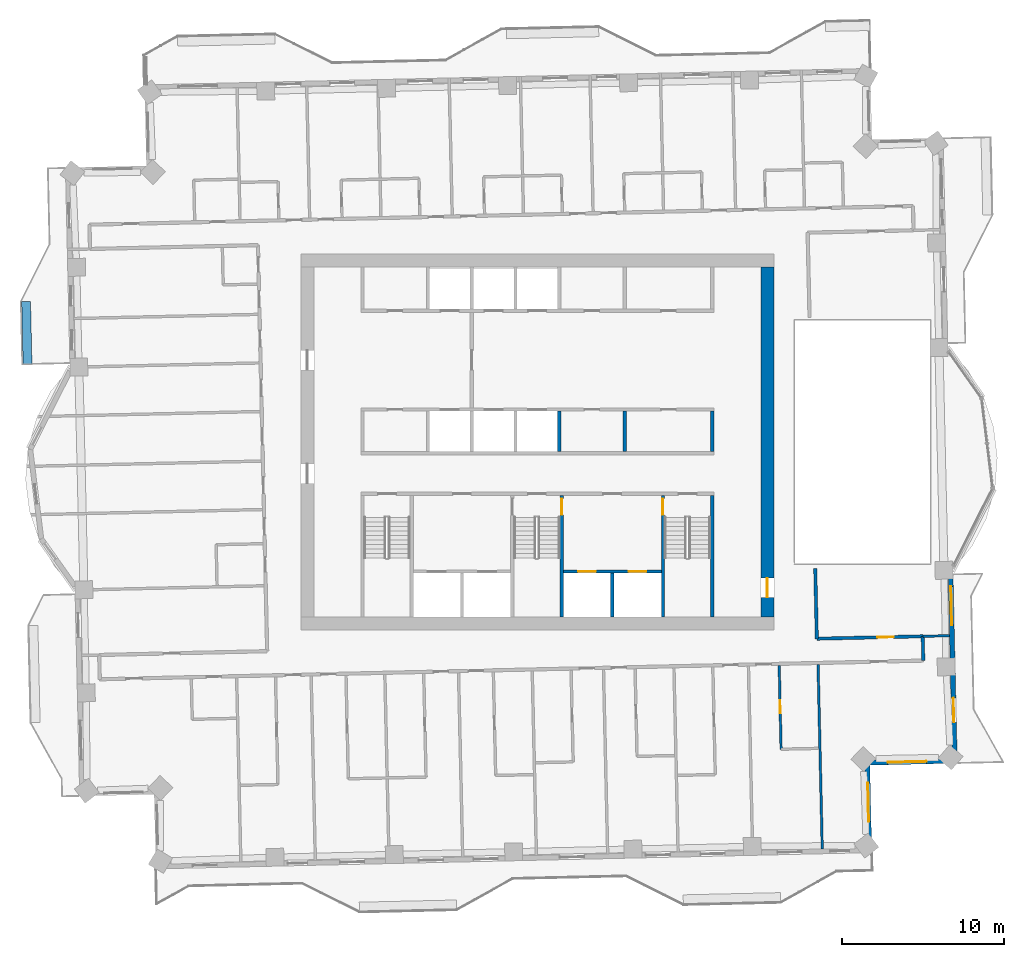
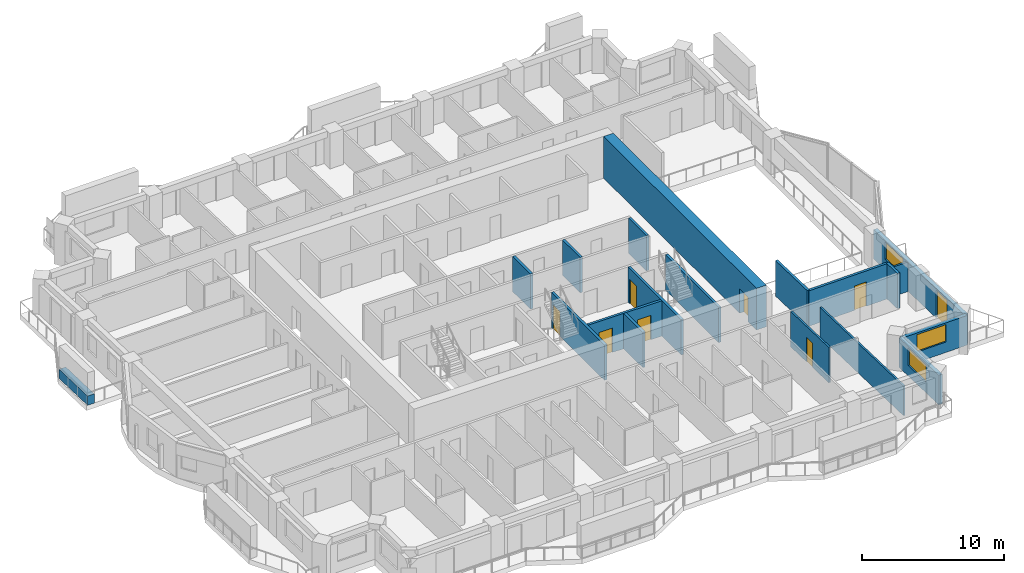
# One storey, part 9 of 17: 19 walls, 8 doors, 3 windows, 11 openings.
"""IFC4 building model written with IfcOpenShell, lengths in metres."""

from ifc_helpers import new_model, si_unit, direction, frame, frame_2d, origin, place, context, subcontext, project, spatial, rectangle, extrude, material, layer, layer_set, type_object, element, fill, save


model = new_model("IFC4")

# Units and contexts
model_context = context("Model", 3, precision=1e-05, world=origin(), true_north=direction((0.0, 1.0)))
body_context = subcontext(model_context, "Body", "Model", "MODEL_VIEW")
ifc_project = project(units=[si_unit("LENGTHUNIT", "METRE"), si_unit("AREAUNIT", "SQUARE_METRE"), si_unit("VOLUMEUNIT", "CUBIC_METRE"), si_unit("PLANEANGLEUNIT", "RADIAN"), si_unit("MASSUNIT", "GRAM", prefix="KILO")], contexts=[model_context])

# Site, building, storey
site_placement = place(None, origin())
site = spatial("IfcSite", under=ifc_project, at=site_placement, CompositionType="ELEMENT")
building_placement = place(site_placement, origin())
building = spatial("IfcBuilding", under=site, at=building_placement, Name="Mangrove Gate Tower", CompositionType="ELEMENT")
storey_placement = place(building_placement, frame((0.0, 0.0, 234.699951171875)))
storey = spatial("IfcBuildingStorey", under=building, at=storey_placement, Name="L59", CompositionType="ELEMENT", Elevation=234.699951171875)

# Walls
ifc_material_1 = material(Name="Concrete C32/40", Category="concrete")
ifc_layer_1 = layer(ifc_material_1, 0.199951171875)
ifc_layer_set_1 = layer_set([ifc_layer_1], Name="Core room wall 200 C32/40")
wall_type_1 = type_object("IfcWallType", Name="Core room wall 200 C32/40", PredefinedType="STANDARD", material=ifc_layer_set_1)
for number, where, z_axis, x_axis, name in (
    (1, (5.39990234375, -0.60009765625, 0.0), (0.0, 0.0, 1.0), (0.0, 1.0, 0.0), "WALL-L59-CORE-24"),
    (2, (10.800048828125, -0.60009765625, 0.0), (0.0, 0.0, 1.0), (0.0, 1.0, 0.0), "WALL-L59-CORE-25"),
):
    element("IfcWall", number, at=place(storey_placement, frame(where, z_axis=z_axis, x_axis=x_axis)), inside=storey, type_object=wall_type_1, Name=name, PredefinedType="STANDARD", context=body_context, shape_type="SweptSolid", body=[
        extrude(rectangle(XDim=2.5, YDim=0.199951171875, at=frame_2d((1.25, 0.0))), origin(), (0.0, 0.0, 1.0), 3.050048828125),
    ])

# Wall, openings, doors
ifc_material_2 = material(Name="Concrete C60/75", Category="concrete")
ifc_layer_2 = layer(ifc_material_2, 0.199951171875)
ifc_layer_set_2 = layer_set([ifc_layer_2], Name="Core shaft wall 200 C60/75")
wall_type_2 = type_object("IfcWallType", Name="Core shaft wall 200 C60/75", PredefinedType="SHEAR", material=ifc_layer_set_2)
wall_1_placement = place(storey_placement, frame((1.60009765625, -8.0, 0.0), z_axis=(0.0, 0.0, 1.0), x_axis=(1.0, 0.0, 0.0)))
wall_1 = element("IfcWall", 3, at=wall_1_placement, inside=storey, type_object=wall_type_2, Name="WALL-L59-CORE-17", PredefinedType="SHEAR", context=body_context, shape_type="SweptSolid", body=[
    extrude(rectangle(XDim=6.0498046875, YDim=0.199951171875, at=frame_2d((3.02490234375, 0.0))), origin(), (0.0, 0.0, 1.0), 3.050048828125),
])
opening_1_placement = place(wall_1_placement, frame((0.91259765625, 0.0, 0.0)))
opening_1 = element("IfcOpeningElement", 4, at=opening_1_placement, cuts=wall_1, Name="Opening LD", PredefinedType="OPENING", context=body_context, shape_type="SweptSolid", body=[
    extrude(rectangle(XDim=1.10009765625, YDim=2.10009765625, at=frame_2d((0.550048828125, 1.050048828125))), frame((0.0, 0.10986328125, 0.0), z_axis=(0.0, -1.0, 0.0), x_axis=(1.0, 0.0, 0.0)), (0.0, 0.0, 1.0), 0.219970703125),
])
opening_2_placement = place(wall_1_placement, frame((4.03759765625, 0.0, 0.0)))
opening_2 = element("IfcOpeningElement", 5, at=opening_2_placement, cuts=wall_1, Name="Opening LD", PredefinedType="OPENING", context=body_context, shape_type="SweptSolid", body=[
    extrude(rectangle(XDim=1.10009765625, YDim=2.10009765625, at=frame_2d((0.550048828125, 1.050048828125))), frame((0.0, 0.10986328125, 0.0), z_axis=(0.0, -1.0, 0.0), x_axis=(1.0, 0.0, 0.0)), (0.0, 0.0, 1.0), 0.219970703125),
])
ifc_material_3 = material(Name="Stainless steel 316", Category="steel")
door_type_1 = type_object("IfcDoorType", Name="Lift landing door 1100x2100", OperationType="SLIDING_TO_LEFT", PredefinedType="DOOR", material=ifc_material_3)
door_1_placement = place(opening_1_placement, origin())
door_1 = element("IfcDoor", 6, at=door_1_placement, inside=storey, type_object=door_type_1, Name="Landing door LD FFL1", OperationType="SLIDING_TO_LEFT", OverallHeight=2.10009765625, OverallWidth=1.10009765625, PredefinedType="DOOR", context=body_context, shape_type="SweptSolid", body=[
    extrude(rectangle(XDim=1.10009765625, YDim=2.10009765625, at=frame_2d((0.550048828125, 1.050048828125))), frame((0.0, 0.02490234375, 0.0), z_axis=(0.0, -1.0, 0.0), x_axis=(1.0, 0.0, 0.0)), (0.0, 0.0, 1.0), 0.050048828125),
])
fill(opening_1, door_1)
door_2_placement = place(opening_2_placement, origin())
door_2 = element("IfcDoor", 7, at=door_2_placement, inside=storey, type_object=door_type_1, Name="Landing door LD FFL2", OperationType="SLIDING_TO_LEFT", OverallHeight=2.10009765625, OverallWidth=1.10009765625, PredefinedType="DOOR", context=body_context, shape_type="SweptSolid", body=[
    extrude(rectangle(XDim=1.10009765625, YDim=2.10009765625, at=frame_2d((0.550048828125, 1.050048828125))), frame((0.0, 0.02490234375, 0.0), z_axis=(0.0, -1.0, 0.0), x_axis=(1.0, 0.0, 0.0)), (0.0, 0.0, 1.0), 0.050048828125),
])
fill(opening_2, door_2)

# Walls
wall_2_placement = place(storey_placement, frame((4.625, -10.800048828125, 0.0), z_axis=(0.0, 0.0, 1.0), x_axis=(0.0, 1.0, 0.0)))
element("IfcWall", 8, at=wall_2_placement, inside=storey, type_object=wall_type_2, Name="WALL-L59-CORE-18", PredefinedType="SHEAR", context=body_context, shape_type="SweptSolid", body=[
    extrude(rectangle(XDim=2.699951171875, YDim=0.199951171875, at=frame_2d((1.35009765625, 0.0))), origin(), (0.0, 0.0, 1.0), 3.050048828125),
])
wall_3_placement = place(storey_placement, frame((1.35009765625, -0.60009765625, 0.0), z_axis=(0.0, 0.0, 1.0), x_axis=(0.0, 1.0, 0.0)))
element("IfcWall", 9, at=wall_3_placement, inside=storey, type_object=wall_type_2, Name="WALL-L59-CORE-23", PredefinedType="SHEAR", context=body_context, shape_type="SweptSolid", body=[
    extrude(rectangle(XDim=2.5, YDim=0.199951171875, at=frame_2d((1.25, 0.0))), origin(), (0.0, 0.0, 1.0), 3.050048828125),
])

# Wall, opening, door
ifc_material_4 = material(Name="Concrete C60/75", Category="concrete")
ifc_layer_3 = layer(ifc_material_4, 0.199951171875)
ifc_layer_set_3 = layer_set([ifc_layer_3], Name="Core stair wall 200 C60/75")
wall_type_3 = type_object("IfcWallType", Name="Core stair wall 200 C60/75", PredefinedType="SHEAR", material=ifc_layer_set_3)
wall_4_placement = place(storey_placement, frame((1.5, -10.800048828125, 0.0), z_axis=(0.0, 0.0, 1.0), x_axis=(0.0, 1.0, 0.0)))
wall_4 = element("IfcWall", 10, at=wall_4_placement, inside=storey, type_object=wall_type_3, Name="WALL-L59-CORE-12", PredefinedType="SHEAR", context=body_context, shape_type="SweptSolid", body=[
    extrude(rectangle(XDim=7.5, YDim=0.199951171875, at=frame_2d((3.75, 0.0))), origin(), (0.0, 0.0, 1.0), 3.050048828125),
])
opening_3_placement = place(wall_4_placement, frame((6.300048828125, 0.0, 0.0)))
opening_3 = element("IfcOpeningElement", 11, at=opening_3_placement, cuts=wall_4, Name="Opening STD10", PredefinedType="OPENING", context=body_context, shape_type="SweptSolid", body=[
    extrude(rectangle(XDim=1.0, YDim=2.10009765625, at=frame_2d((0.5, 1.050048828125))), frame((0.0, 0.10986328125, 0.0), z_axis=(0.0, -1.0, 0.0), x_axis=(1.0, 0.0, 0.0)), (0.0, 0.0, 1.0), 0.219970703125),
])
ifc_material_5 = material(Name="Fire-rated steel door set", Category="steel")
door_type_2 = type_object("IfcDoorType", Name="Stair door FD60 1000x2100", OperationType="SINGLE_SWING_RIGHT", PredefinedType="DOOR", material=ifc_material_5)
door_3_placement = place(opening_3_placement, origin())
door_3 = element("IfcDoor", 12, at=door_3_placement, inside=storey, type_object=door_type_2, Name="Stair door Stair 2 from fire-fighting lobby", OperationType="SINGLE_SWING_RIGHT", OverallHeight=2.10009765625, OverallWidth=1.0, PredefinedType="DOOR", context=body_context, shape_type="SweptSolid", body=[
    extrude(rectangle(XDim=1.0, YDim=2.10009765625, at=frame_2d((0.5, 1.050048828125))), frame((0.0, 0.02490234375, 0.0), z_axis=(0.0, -1.0, 0.0), x_axis=(1.0, 0.0, 0.0)), (0.0, 0.0, 1.0), 0.050048828125),
])
fill(opening_3, door_3)

wall_5_placement = place(storey_placement, frame((7.75, -10.800048828125, 0.0), z_axis=(0.0, 0.0, 1.0), x_axis=(0.0, 1.0, 0.0)))
wall_5 = element("IfcWall", 13, at=wall_5_placement, inside=storey, type_object=wall_type_3, Name="WALL-L59-CORE-13", PredefinedType="SHEAR", context=body_context, shape_type="SweptSolid", body=[
    extrude(rectangle(XDim=7.5, YDim=0.199951171875, at=frame_2d((3.75, 0.0))), origin(), (0.0, 0.0, 1.0), 3.050048828125),
])
opening_4_placement = place(wall_5_placement, frame((6.300048828125, 0.0, 0.0)))
opening_4 = element("IfcOpeningElement", 14, at=opening_4_placement, cuts=wall_5, Name="Opening STD10", PredefinedType="OPENING", context=body_context, shape_type="SweptSolid", body=[
    extrude(rectangle(XDim=1.0, YDim=2.10009765625, at=frame_2d((0.5, 1.050048828125))), frame((0.0, 0.10986328125, 0.0), z_axis=(0.0, -1.0, 0.0), x_axis=(1.0, 0.0, 0.0)), (0.0, 0.0, 1.0), 0.219970703125),
])
door_4_placement = place(opening_4_placement, origin())
door_4 = element("IfcDoor", 15, at=door_4_placement, inside=storey, type_object=door_type_2, Name="Stair door Stair 3 from fire-fighting lobby", OperationType="SINGLE_SWING_RIGHT", OverallHeight=2.10009765625, OverallWidth=1.0, PredefinedType="DOOR", context=body_context, shape_type="SweptSolid", body=[
    extrude(rectangle(XDim=1.0, YDim=2.10009765625, at=frame_2d((0.5, 1.050048828125))), frame((0.0, 0.02490234375, 0.0), z_axis=(0.0, -1.0, 0.0), x_axis=(1.0, 0.0, 0.0)), (0.0, 0.0, 1.0), 0.050048828125),
])
fill(opening_4, door_4)

# Wall
wall_6_placement = place(storey_placement, frame((10.800048828125, -10.800048828125, 0.0), z_axis=(0.0, 0.0, 1.0), x_axis=(0.0, 1.0, 0.0)))
element("IfcWall", 16, at=wall_6_placement, inside=storey, type_object=wall_type_3, Name="WALL-L59-CORE-14", PredefinedType="SHEAR", context=body_context, shape_type="SweptSolid", body=[
    extrude(rectangle(XDim=7.5, YDim=0.199951171875, at=frame_2d((3.75, 0.0))), origin(), (0.0, 0.0, 1.0), 3.050048828125),
])

# Wall, opening, door
ifc_material_6 = material(Name="Concrete C60/75", Category="concrete")
ifc_layer_4 = layer(ifc_material_6, 0.800048828125)
ifc_layer_set_4 = layer_set([ifc_layer_4], Name="Core wall 800 C60/75")
wall_type_4 = type_object("IfcWallType", Name="Core wall 800 C60/75", PredefinedType="SHEAR", material=ifc_layer_set_4)
wall_7_placement = place(storey_placement, frame((14.199951171875, -10.800048828125, 0.0), z_axis=(0.0, 0.0, 1.0), x_axis=(0.0, 1.0, 0.0)))
wall_7 = element("IfcWall", 17, at=wall_7_placement, inside=storey, type_object=wall_type_4, Name="WALL-L59-CORE-4", PredefinedType="SHEAR", context=body_context, shape_type="SweptSolid", body=[
    extrude(rectangle(XDim=21.60009765625, YDim=0.800048828125, at=frame_2d((10.800048828125, 0.0))), origin(), (0.0, 0.0, 1.0), 3.60009765625),
])
opening_5_placement = place(wall_7_placement, frame((1.199951171875, 0.0, 0.0)))
opening_5 = element("IfcOpeningElement", 18, at=opening_5_placement, cuts=wall_7, Name="Opening CD", PredefinedType="OPENING", context=body_context, shape_type="SweptSolid", body=[
    extrude(rectangle(XDim=1.199951171875, YDim=2.10009765625, at=frame_2d((0.60009765625, 1.050048828125))), frame((0.0, 0.409912109375, 0.0), z_axis=(0.0, -1.0, 0.0), x_axis=(1.0, 0.0, 0.0)), (0.0, 0.0, 1.0), 0.820068359375),
])
ifc_material_7 = material(Name="Fire-rated steel door set", Category="steel")
door_type_3 = type_object("IfcDoorType", Name="Core ring door FD60 1200x2100", OperationType="DOUBLE_DOOR_SINGLE_SWING", PredefinedType="DOOR", material=ifc_material_7)
door_5_placement = place(opening_5_placement, origin())
door_5 = element("IfcDoor", 19, at=door_5_placement, inside=storey, type_object=door_type_3, Name="Core ring door E1", OperationType="DOUBLE_DOOR_SINGLE_SWING", OverallHeight=2.10009765625, OverallWidth=1.199951171875, PredefinedType="DOOR", context=body_context, shape_type="SweptSolid", body=[
    extrude(rectangle(XDim=1.199951171875, YDim=2.10009765625, at=frame_2d((0.60009765625, 1.050048828125))), frame((0.0, 0.02490234375, 0.0), z_axis=(0.0, -1.0, 0.0), x_axis=(1.0, 0.0, 0.0)), (0.0, 0.0, 1.0), 0.050048828125),
])
fill(opening_5, door_5)

# Walls
ifc_material_8 = material(Name="Gypsum board on steel stud, EI 60", Category="steel")
ifc_layer_5 = layer(ifc_material_8, 0.199951171875)
ifc_layer_set_5 = layer_set([ifc_layer_5], Name="Corridor wall EI 60")
wall_type_5 = type_object("IfcWallType", Name="Corridor wall EI 60", PredefinedType="PARTITIONING", material=ifc_layer_set_5)
wall_8_placement = place(storey_placement, frame((23.824951171875, -13.5, 0.0), z_axis=(0.0, 0.0, 1.0), x_axis=(-0.022632637625, 0.99974384905, 0.0)))
element("IfcWall", 20, at=wall_8_placement, inside=storey, type_object=wall_type_5, Name="WALL-L59-028", PredefinedType="PARTITIONING", context=body_context, shape_type="SweptSolid", body=[
    extrude(rectangle(XDim=1.49951171875, YDim=0.199951171875, at=frame_2d((0.749755859375, 0.0))), origin(), (0.0, 0.0, 1.0), 3.050048828125),
])
wall_9_placement = place(storey_placement, frame((17.2529296875, -12.14892578125, 0.0), z_axis=(0.0, 0.0, 1.0), x_axis=(-0.022578158225, 0.999745080894, 0.0)))
element("IfcWall", 21, at=wall_9_placement, inside=storey, type_object=wall_type_5, Name="WALL-L59-031", PredefinedType="PARTITIONING", context=body_context, shape_type="SweptSolid", body=[
    extrude(rectangle(XDim=4.336181640625, YDim=0.199951171875, at=frame_2d((2.16796875, 0.0))), origin(), (0.0, 0.0, 1.0), 3.050048828125),
])

# Wall, opening, door
wall_10_placement = place(storey_placement, frame((17.248046875, -12.14501953125, 0.0), z_axis=(0.0, 0.0, 1.0), x_axis=(0.999744752818, 0.022592680497, 0.0)))
wall_10 = element("IfcWall", 22, at=wall_10_placement, inside=storey, type_object=wall_type_5, Name="WALL-L59-034", PredefinedType="PARTITIONING", context=body_context, shape_type="SweptSolid", body=[
    extrude(rectangle(XDim=6.548583984375, YDim=0.199951171875, at=frame_2d((3.2744140625, 0.0))), origin(), (0.0, 0.0, 1.0), 3.050048828125),
])
opening_6_placement = place(wall_10_placement, frame((3.75, 0.0, 0.0)))
opening_6 = element("IfcOpeningElement", 23, at=opening_6_placement, cuts=wall_10, Name="Opening AD", PredefinedType="OPENING", context=body_context, shape_type="SweptSolid", body=[
    extrude(rectangle(XDim=1.0, YDim=2.10009765625, at=frame_2d((0.5, 1.050048828125))), frame((0.0, 0.10986328125, 0.0), z_axis=(0.0, -1.0, 0.0), x_axis=(1.0, 0.0, 0.0)), (0.0, 0.0, 1.0), 0.219970703125),
])
ifc_material_9 = material(Name="Timber door leaf", Category="wood")
door_type_4 = type_object("IfcDoorType", Name="Amenity door 1000", OperationType="SINGLE_SWING_LEFT", PredefinedType="DOOR", material=ifc_material_9)
door_6_placement = place(opening_6_placement, origin())
door_6 = element("IfcDoor", 24, at=door_6_placement, inside=storey, type_object=door_type_4, Name="DOOR-L59-STU-c3b", OperationType="SINGLE_SWING_LEFT", OverallHeight=2.10009765625, OverallWidth=1.0, PredefinedType="DOOR", context=body_context, shape_type="SweptSolid", body=[
    extrude(rectangle(XDim=1.0, YDim=2.10009765625, at=frame_2d((0.5, 1.050048828125))), frame((0.0, 0.02490234375, 0.0), z_axis=(0.0, -1.0, 0.0), x_axis=(1.0, 0.0, 0.0)), (0.0, 0.0, 1.0), 0.050048828125),
])
fill(opening_6, door_6)

# Wall, openings, door, window
ifc_material_10 = material(Name="Limestone", Category="masonry")
ifc_layer_6 = layer(ifc_material_10, 0.0400390625, Name="Limestone cladding")
ifc_material_11 = material(Name="Ventilated air gap")
ifc_layer_7 = layer(ifc_material_11, 0.0400390625, Name="Ventilated cavity")
ifc_material_12 = material(Name="Mineral wool insulation")
ifc_layer_8 = layer(ifc_material_12, 0.06005859375, Name="Insulation")
ifc_material_13 = material(Name="Breather membrane")
ifc_layer_9 = layer(ifc_material_13, 0.001953125, Name="Breather membrane")
ifc_material_14 = material(Name="Concrete C20/25 blockwork", Category="masonry")
ifc_layer_10 = layer(ifc_material_14, 0.14990234375, Name="Blockwork backing wall")
ifc_material_15 = material(Name="Gypsum plaster")
ifc_layer_11 = layer(ifc_material_15, 0.008056640625, Name="Internal plaster")
ifc_layer_set_6 = layer_set([ifc_layer_6, ifc_layer_7, ifc_layer_8, ifc_layer_9, ifc_layer_10, ifc_layer_11], Name="External wall 300 limestone cladding")
wall_type_6 = type_object("IfcWallType", Name="External wall 300 limestone cladding", PredefinedType="SOLIDWALL", material=ifc_layer_set_6)
wall_11_placement = place(storey_placement, frame((25.77001953125, -19.68408203125, 0.0), z_axis=(0.0, 0.0, 1.0), x_axis=(-0.022642656789, 0.999743622182, 0.0)))
wall_11 = element("IfcWall", 25, at=wall_11_placement, inside=storey, type_object=wall_type_6, Name="WALL-L59-E0s1", PredefinedType="SOLIDWALL", context=body_context, shape_type="SweptSolid", body=[
    extrude(rectangle(XDim=12.32421875, YDim=0.300048828125, at=frame_2d((6.162109375, 0.0))), origin(), (0.0, 0.0, 1.0), 2.550048828125),
])
opening_7_placement = place(wall_11_placement, frame((2.3798828125, 0.0, 0.0)))
opening_7 = element("IfcOpeningElement", 26, at=opening_7_placement, cuts=wall_11, Name="Opening BD1", PredefinedType="OPENING", context=body_context, shape_type="SweptSolid", body=[
    extrude(rectangle(XDim=1.5, YDim=2.39990234375, at=frame_2d((0.75, 1.199951171875))), frame((0.0, 0.159912109375, 0.0), z_axis=(0.0, -1.0, 0.0), x_axis=(1.0, 0.0, 0.0)), (0.0, 0.0, 1.0), 0.320068359375),
])
opening_8_placement = place(wall_11_placement, frame((8.375, 0.0, 0.89990234375)))
opening_8 = element("IfcOpeningElement", 27, at=opening_8_placement, cuts=wall_11, Name="Opening W2", PredefinedType="OPENING", context=body_context, shape_type="SweptSolid", body=[
    extrude(rectangle(XDim=2.39990234375, YDim=1.5, at=frame_2d((1.199951171875, 0.75))), frame((0.0, 0.159912109375, 0.0), z_axis=(0.0, -1.0, 0.0), x_axis=(1.0, 0.0, 0.0)), (0.0, 0.0, 1.0), 0.320068359375),
])
ifc_material_16 = material(Name="Aluminium frame with laminated clear glass", Category="aluminium")
door_type_5 = type_object("IfcDoorType", Name="Balcony sliding door 1500x2400", OperationType="SLIDING_TO_LEFT", PredefinedType="DOOR", material=ifc_material_16)
door_7_placement = place(opening_7_placement, origin())
door_7 = element("IfcDoor", 28, at=door_7_placement, inside=storey, type_object=door_type_5, Name="DOOR-L59-E0-1", OperationType="SLIDING_TO_LEFT", OverallHeight=2.39990234375, OverallWidth=1.5, PredefinedType="DOOR", context=body_context, shape_type="SweptSolid", body=[
    extrude(rectangle(XDim=1.5, YDim=2.39990234375, at=frame_2d((0.75, 1.199951171875))), frame((0.0, 0.02490234375, 0.0), z_axis=(0.0, -1.0, 0.0), x_axis=(1.0, 0.0, 0.0)), (0.0, 0.0, 1.0), 0.050048828125),
])
fill(opening_7, door_7)
ifc_material_17 = material(Name="Aluminium frame with double-glazed low-e glass", Category="aluminium")
window_type = type_object("IfcWindowType", Name="Corner room window 2400x1500", PartitioningType="DOUBLE_PANEL_VERTICAL", PredefinedType="WINDOW", material=ifc_material_17)
window_1_placement = place(opening_8_placement, origin())
window_1 = element("IfcWindow", 29, at=window_1_placement, inside=storey, type_object=window_type, Name="WIN-L59-E0-2", OverallHeight=1.5, OverallWidth=2.39990234375, PartitioningType="DOUBLE_PANEL_VERTICAL", PredefinedType="WINDOW", context=body_context, shape_type="SweptSolid", body=[
    extrude(rectangle(XDim=2.39990234375, YDim=1.5, at=frame_2d((1.199951171875, 0.75))), frame((0.0, 0.030029296875, 0.0), z_axis=(0.0, -1.0, 0.0), x_axis=(1.0, 0.0, 0.0)), (0.0, 0.0, 1.0), 0.06005859375),
])
fill(opening_8, window_1)

# Wall, opening, window
wall_12_placement = place(storey_placement, frame((20.493896484375, -25.205078125, 0.0), z_axis=(0.0, 0.0, 1.0), x_axis=(-0.022558128916, 0.999745533033, 0.0)))
wall_12 = element("IfcWall", 30, at=wall_12_placement, inside=storey, type_object=wall_type_6, Name="WALL-L59-E14", PredefinedType="SOLIDWALL", context=body_context, shape_type="SweptSolid", body=[
    extrude(rectangle(XDim=5.400634765625, YDim=0.300048828125, at=frame_2d((2.7001953125, 0.0))), origin(), (0.0, 0.0, 1.0), 2.550048828125),
])
opening_9_placement = place(wall_12_placement, frame((1.761962890625, 0.0, 0.89990234375)))
opening_9 = element("IfcOpeningElement", 31, at=opening_9_placement, cuts=wall_12, Name="Opening W2", PredefinedType="OPENING", context=body_context, shape_type="SweptSolid", body=[
    extrude(rectangle(XDim=2.39990234375, YDim=1.5, at=frame_2d((1.199951171875, 0.75))), frame((0.0, 0.159912109375, 0.0), z_axis=(0.0, -1.0, 0.0), x_axis=(1.0, 0.0, 0.0)), (0.0, 0.0, 1.0), 0.320068359375),
])
window_2_placement = place(opening_9_placement, origin())
window_2 = element("IfcWindow", 32, at=window_2_placement, inside=storey, type_object=window_type, Name="WIN-L59-E14-1", OverallHeight=1.5, OverallWidth=2.39990234375, PartitioningType="DOUBLE_PANEL_VERTICAL", PredefinedType="WINDOW", context=body_context, shape_type="SweptSolid", body=[
    extrude(rectangle(XDim=2.39990234375, YDim=1.5, at=frame_2d((1.199951171875, 0.75))), frame((0.0, 0.030029296875, 0.0), z_axis=(0.0, -1.0, 0.0), x_axis=(1.0, 0.0, 0.0)), (0.0, 0.0, 1.0), 0.06005859375),
])
fill(opening_9, window_2)

wall_13_placement = place(storey_placement, frame((20.3720703125, -19.805908203125, 0.0), z_axis=(0.0, 0.0, 1.0), x_axis=(0.999745417973, 0.02256322766, 0.0)))
wall_13 = element("IfcWall", 33, at=wall_13_placement, inside=storey, type_object=wall_type_6, Name="WALL-L59-S15", PredefinedType="SOLIDWALL", context=body_context, shape_type="SweptSolid", body=[
    extrude(rectangle(XDim=5.3994140625, YDim=0.300048828125, at=frame_2d((2.69970703125, 0.0))), origin(), (0.0, 0.0, 1.0), 2.550048828125),
])
opening_10_placement = place(wall_13_placement, frame((1.251953125, 0.0, 0.89990234375)))
opening_10 = element("IfcOpeningElement", 34, at=opening_10_placement, cuts=wall_13, Name="Opening W2", PredefinedType="OPENING", context=body_context, shape_type="SweptSolid", body=[
    extrude(rectangle(XDim=2.39990234375, YDim=1.5, at=frame_2d((1.199951171875, 0.75))), frame((0.0, 0.159912109375, 0.0), z_axis=(0.0, -1.0, 0.0), x_axis=(1.0, 0.0, 0.0)), (0.0, 0.0, 1.0), 0.320068359375),
])
window_3_placement = place(opening_10_placement, origin())
window_3 = element("IfcWindow", 35, at=window_3_placement, inside=storey, type_object=window_type, Name="WIN-L59-S15-1", OverallHeight=1.5, OverallWidth=2.39990234375, PartitioningType="DOUBLE_PANEL_VERTICAL", PredefinedType="WINDOW", context=body_context, shape_type="SweptSolid", body=[
    extrude(rectangle(XDim=2.39990234375, YDim=1.5, at=frame_2d((1.199951171875, 0.75))), frame((0.0, 0.030029296875, 0.0), z_axis=(0.0, -1.0, 0.0), x_axis=(1.0, 0.0, 0.0)), (0.0, 0.0, 1.0), 0.06005859375),
])
fill(opening_10, window_3)

# Wall
ifc_material_18 = material(Name="Gypsum board on steel stud, EI 60", Category="steel")
ifc_layer_12 = layer(ifc_material_18, 0.14990234375)
ifc_layer_set_7 = layer_set([ifc_layer_12], Name="Party wall 150 EI 60")
wall_type_7 = type_object("IfcWallType", Name="Party wall 150 EI 60", PredefinedType="PARTITIONING", material=ifc_layer_set_7)
wall_14_placement = place(storey_placement, frame((17.5869140625, -25.12109375, 0.0), z_axis=(0.0, 0.0, 1.0), x_axis=(-0.022662905301, 0.999743163379, 0.0)))
element("IfcWall", 36, at=wall_14_placement, inside=storey, type_object=wall_type_7, Name="WALL-L59-009", PredefinedType="PARTITIONING", context=body_context, shape_type="SweptSolid", body=[
    extrude(rectangle(XDim=11.3759765625, YDim=0.14990234375, at=frame_2d((5.68798828125, 0.0))), origin(), (0.0, 0.0, 1.0), 2.550048828125),
])

# Wall, opening, door
wall_15_placement = place(storey_placement, frame((15.047119140625, -18.970947265625, 0.0), z_axis=(0.0, 0.0, 1.0), x_axis=(-0.022665628603, 0.999743101642, 0.0)))
wall_15 = element("IfcWall", 37, at=wall_15_placement, inside=storey, type_object=wall_type_7, Name="WALL-L59-023", PredefinedType="PARTITIONING", context=body_context, shape_type="SweptSolid", body=[
    extrude(rectangle(XDim=5.170166015625, YDim=0.14990234375, at=frame_2d((2.5849609375, 0.0))), origin(), (0.0, 0.0, 1.0), 3.050048828125),
])
opening_11_placement = place(wall_15_placement, frame((2.235107421875, 0.0, 0.0)))
opening_11 = element("IfcOpeningElement", 38, at=opening_11_placement, cuts=wall_15, Name="Opening ED", PredefinedType="OPENING", context=body_context, shape_type="SweptSolid", body=[
    extrude(rectangle(XDim=0.800048828125, YDim=2.10009765625, at=frame_2d((0.39990234375, 1.050048828125))), frame((0.0, 0.0849609375, 0.0), z_axis=(0.0, -1.0, 0.0), x_axis=(1.0, 0.0, 0.0)), (0.0, 0.0, 1.0), 0.169921875),
])
ifc_material_19 = material(Name="Timber door leaf", Category="wood")
door_type_6 = type_object("IfcDoorType", Name="En-suite door 800", OperationType="SINGLE_SWING_LEFT", PredefinedType="DOOR", material=ifc_material_19)
door_8_placement = place(opening_11_placement, origin())
door_8 = element("IfcDoor", 39, at=door_8_placement, inside=storey, type_object=door_type_6, Name="DOOR-L59-ENS-c308", OperationType="SINGLE_SWING_RIGHT", OverallHeight=2.10009765625, OverallWidth=0.800048828125, PredefinedType="DOOR", context=body_context, shape_type="SweptSolid", body=[
    extrude(rectangle(XDim=0.800048828125, YDim=2.10009765625, at=frame_2d((0.39990234375, 1.050048828125))), frame((0.0, 0.02490234375, 0.0), z_axis=(0.0, -1.0, 0.0), x_axis=(1.0, 0.0, 0.0)), (0.0, 0.0, 1.0), 0.050048828125),
])
fill(opening_11, door_8)

# Walls
wall_16_placement = place(storey_placement, frame((23.794921875, -11.9970703125, 0.0), z_axis=(0.0, 0.0, 1.0), x_axis=(0.999733755381, 0.023074192312, 0.0)))
element("IfcWall", 40, at=wall_16_placement, inside=storey, type_object=wall_type_7, Name="WALL-L59-035", PredefinedType="PARTITIONING", context=body_context, shape_type="SweptSolid", body=[
    extrude(rectangle(XDim=1.650634765625, YDim=0.14990234375, at=frame_2d((0.8251953125, 0.0))), origin(), (0.0, 0.0, 1.0), 2.550048828125),
])
ifc_material_20 = material(Name="Concrete C32/40", Category="concrete")
ifc_layer_13 = layer(ifc_material_20, 0.199951171875, Name="Planter trough wall")
ifc_material_21 = material(Name="Bituminous waterproofing membrane")
ifc_layer_14 = layer(ifc_material_21, 0.0048828125, Name="Waterproofing")
ifc_material_22 = material(Name="Drainage board and gravel")
ifc_layer_15 = layer(ifc_material_22, 0.044921875, Name="Drainage layer")
ifc_material_23 = material(Name="Planting soil")
ifc_layer_16 = layer(ifc_material_23, 0.300048828125, Name="Growing medium")
ifc_layer_set_8 = layer_set([ifc_layer_13, ifc_layer_14, ifc_layer_15, ifc_layer_16], Name="Planter wall 550 C32/40")
wall_type_8 = type_object("IfcWallType", Name="Planter wall 550 C32/40", PredefinedType="USERDEFINED", material=ifc_layer_set_8)
wall_17_placement = place(storey_placement, frame((-31.472900390625, 4.799072265625, 0.0), z_axis=(0.0, 0.0, 1.0), x_axis=(-0.022744303924, 0.999741314861, 0.0)))
element("IfcWall", 41, at=wall_17_placement, inside=storey, type_object=wall_type_8, Name="PLANTER L59 W0.1", ObjectType="PLANTER", PredefinedType="USERDEFINED", context=body_context, shape_type="SweptSolid", body=[
    extrude(rectangle(XDim=3.875, YDim=0.550048828125, at=frame_2d((1.9375, 0.0))), origin(), (0.0, 0.0, 1.0), 0.800048828125),
])

save(model, "model.ifc")
